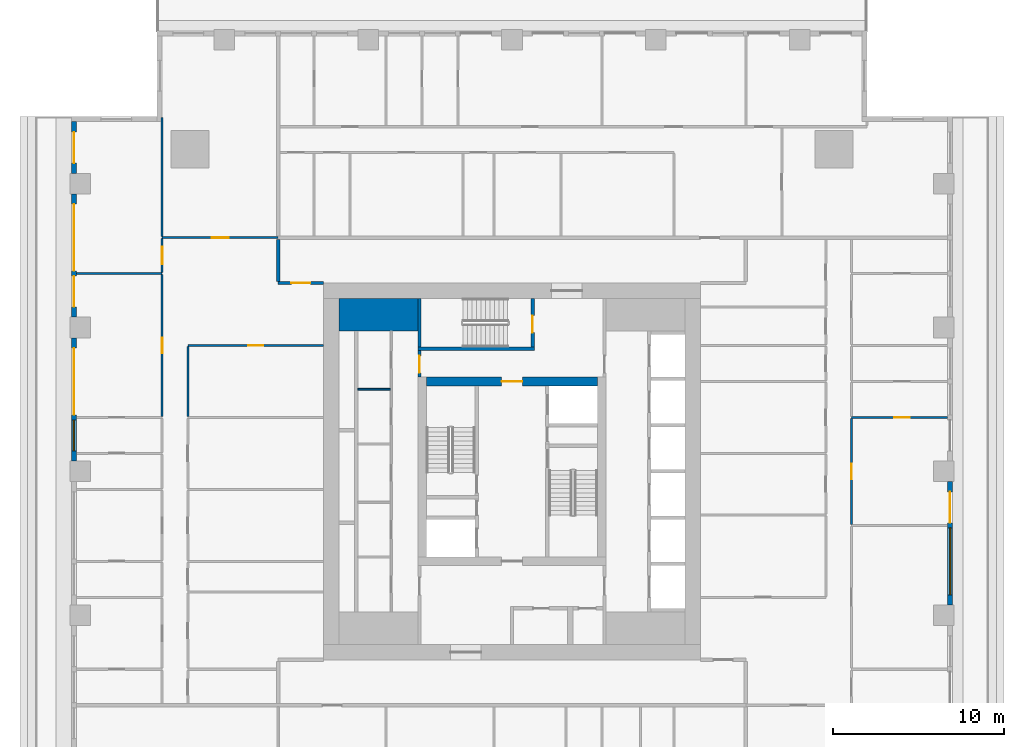
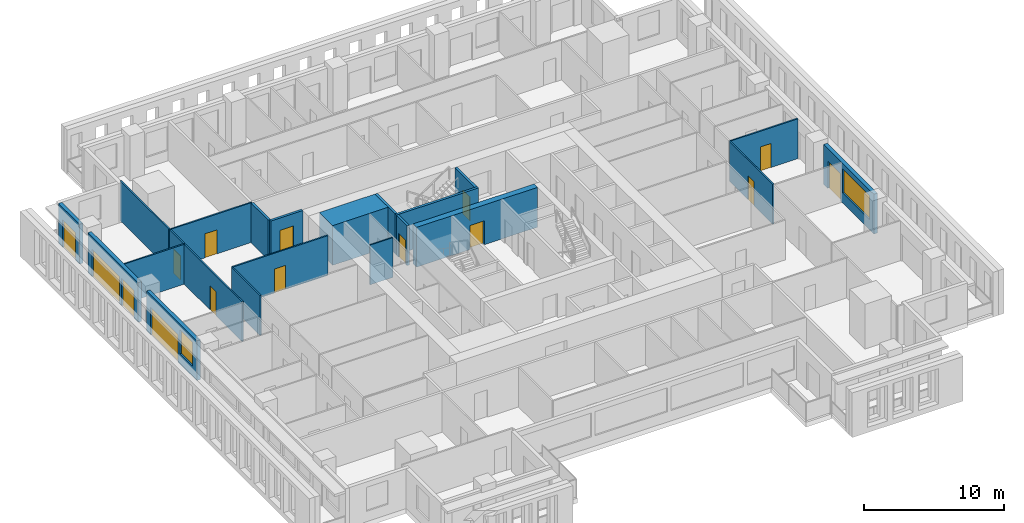
# One storey, part 6 of 14: 22 walls, 15 doors, 2 windows, 17 openings.
"""IFC4 building model written with IfcOpenShell, lengths in metres."""

from ifc_helpers import new_model, si_unit, direction, frame, frame_2d, origin, place, context, subcontext, project, spatial, rectangle, extrude, material, layer, layer_set, type_object, element, fill, save


model = new_model("IFC4")

# Units and contexts
model_context = context("Model", 3, precision=1e-05, world=origin(), true_north=direction((0.0, 1.0)))
body_context = subcontext(model_context, "Body", "Model", "MODEL_VIEW")
ifc_project = project(units=[si_unit("LENGTHUNIT", "METRE"), si_unit("AREAUNIT", "SQUARE_METRE"), si_unit("VOLUMEUNIT", "CUBIC_METRE"), si_unit("PLANEANGLEUNIT", "RADIAN"), si_unit("MASSUNIT", "GRAM", prefix="KILO")], contexts=[model_context])

# Site, building, storey
site_placement = place(None, origin())
site = spatial("IfcSite", under=ifc_project, at=site_placement, CompositionType="ELEMENT")
building_placement = place(site_placement, origin())
building = spatial("IfcBuilding", under=site, at=building_placement, Name="Khepri Terraces", CompositionType="ELEMENT")
storey_placement = place(building_placement, frame((0.0, 0.0, 271.800048828125)))
storey = spatial("IfcBuildingStorey", under=building, at=storey_placement, Name="L65", CompositionType="ELEMENT", Elevation=271.800048828125)

# Walls
ifc_material_1 = material(Name="Concrete C40/50", Category="concrete")
ifc_layer_1 = layer(ifc_material_1, 1.89990234375, Name="Concrete C40/50", Category="concrete")
ifc_layer_set_1 = layer_set([ifc_layer_1], Name="Concrete C40/50")
wall_type_1 = type_object("IfcWallType", Name="Core wall 1900 C40/50", PredefinedType="SHEAR", material=ifc_layer_set_1)
wall_1_placement = place(storey_placement, frame((-10.10009765625, 9.14990234375, 0.0), z_axis=(0.0, 0.0, 1.0), x_axis=(1.0, 0.0, 0.0)))
element("IfcWall", 1, at=wall_1_placement, inside=storey, type_object=wall_type_1, Name="Core wall PR03 L65", PredefinedType="SHEAR", context=body_context, shape_type="SweptSolid", body=[
    extrude(rectangle(XDim=4.60009765625, YDim=1.89990234375, at=frame_2d((2.300048828125, 0.0))), origin(), (0.0, 0.0, 1.0), 3.47998046875),
])
ifc_layer_2 = layer(ifc_material_1, 0.199951171875, Name="Concrete C40/50", Category="concrete")
ifc_layer_set_2 = layer_set([ifc_layer_2], Name="Concrete C40/50")
wall_type_2 = type_object("IfcWallType", Name="Core wall 200 C40/50", PredefinedType="SHEAR", material=ifc_layer_set_2)
wall_2_placement = place(storey_placement, frame((-5.5, 7.14990234375, 0.0), z_axis=(0.0, 0.0, 1.0), x_axis=(1.0, 0.0, 0.0)))
element("IfcWall", 2, at=wall_2_placement, inside=storey, type_object=wall_type_2, Name="Core wall ST05 L65", PredefinedType="SHEAR", context=body_context, shape_type="SweptSolid", body=[
    extrude(rectangle(XDim=6.800048828125, YDim=0.199951171875, at=frame_2d((3.39990234375, 0.0))), origin(), (0.0, 0.0, 1.0), 3.47998046875),
])
wall_3_placement = place(storey_placement, frame((-5.39990234375, 7.25, 0.0), z_axis=(0.0, 0.0, 1.0), x_axis=(0.0, 1.0, 0.0)))
element("IfcWall", 3, at=wall_3_placement, inside=storey, type_object=wall_type_2, Name="Core wall ST06 L65", PredefinedType="SHEAR", context=body_context, shape_type="SweptSolid", body=[
    extrude(rectangle(XDim=2.85009765625, YDim=0.199951171875, at=frame_2d((1.425048828125, 0.0))), origin(), (0.0, 0.0, 1.0), 3.47998046875),
])

# Wall, opening, door
wall_4_placement = place(storey_placement, frame((1.199951171875, 7.25, 0.0), z_axis=(0.0, 0.0, 1.0), x_axis=(0.0, 1.0, 0.0)))
wall_4 = element("IfcWall", 4, at=wall_4_placement, inside=storey, type_object=wall_type_2, Name="Core wall ST07 L65", PredefinedType="SHEAR", context=body_context, shape_type="SweptSolid", body=[
    extrude(rectangle(XDim=2.85009765625, YDim=0.199951171875, at=frame_2d((1.425048828125, 0.0))), origin(), (0.0, 0.0, 1.0), 3.47998046875),
])
opening_1_placement = place(wall_4_placement, frame((0.85009765625, 0.0, 0.0)))
opening_1 = element("IfcOpeningElement", 5, at=opening_1_placement, cuts=wall_4, Name="Opening L65-C15", PredefinedType="OPENING", context=body_context, shape_type="SweptSolid", body=[
    extrude(rectangle(XDim=1.0, YDim=2.10009765625, at=frame_2d((0.5, 1.050048828125))), frame((0.0, 0.10986328125, 0.0), z_axis=(0.0, -1.0, 0.0), x_axis=(1.0, 0.0, 0.0)), (0.0, 0.0, 1.0), 0.219970703125),
])
ifc_material_2 = material(Name="Painted steel", Category="steel")
door_type_1 = type_object("IfcDoorType", Name="DR-CORE-STAIR-1000", OperationType="NOTDEFINED", PredefinedType="DOOR", material=ifc_material_2)
door_1_placement = place(opening_1_placement, origin())
door_1 = element("IfcDoor", 6, at=door_1_placement, inside=storey, type_object=door_type_1, Name="Stair door L65-C15", OperationType="SINGLE_SWING_LEFT", OverallHeight=2.10009765625, OverallWidth=1.0, PredefinedType="DOOR", context=body_context, shape_type="SweptSolid", body=[
    extrude(rectangle(XDim=1.0, YDim=2.10009765625, at=frame_2d((0.5, 1.050048828125))), frame((0.0, 0.02490234375, 0.0), z_axis=(0.0, -1.0, 0.0), x_axis=(1.0, 0.0, 0.0)), (0.0, 0.0, 1.0), 0.050048828125),
])
fill(opening_1, door_1)

ifc_layer_3 = layer(ifc_material_1, 0.5, Name="Concrete C40/50", Category="concrete")
ifc_layer_set_3 = layer_set([ifc_layer_3], Name="Concrete C40/50")
wall_type_3 = type_object("IfcWallType", Name="Core wall 500 C40/50", PredefinedType="SHEAR", material=ifc_layer_set_3)
wall_5_placement = place(storey_placement, frame((-5.0, 5.25, 0.0), z_axis=(0.0, 0.0, 1.0), x_axis=(1.0, 0.0, 0.0)))
wall_5 = element("IfcWall", 7, at=wall_5_placement, inside=storey, type_object=wall_type_3, Name="Core wall BX04 L65", PredefinedType="SHEAR", context=body_context, shape_type="SweptSolid", body=[
    extrude(rectangle(XDim=10.0, YDim=0.5, at=frame_2d((5.0, 0.0))), origin(), (0.0, 0.0, 1.0), 3.47998046875),
])
opening_2_placement = place(wall_5_placement, frame((4.39990234375, 0.0, 0.0)))
opening_2 = element("IfcOpeningElement", 8, at=opening_2_placement, cuts=wall_5, Name="Opening L65-C13", PredefinedType="OPENING", context=body_context, shape_type="SweptSolid", body=[
    extrude(rectangle(XDim=1.199951171875, YDim=2.10009765625, at=frame_2d((0.60009765625, 1.050048828125))), frame((0.0, 0.260009765625, 0.0), z_axis=(0.0, -1.0, 0.0), x_axis=(1.0, 0.0, 0.0)), (0.0, 0.0, 1.0), 0.52001953125),
])
door_type_2 = type_object("IfcDoorType", Name="DR-CORE-FF-LOBBY-1200", OperationType="NOTDEFINED", PredefinedType="DOOR", material=ifc_material_2)
door_2_placement = place(opening_2_placement, frame((1.199951171875, 0.0, 0.0), z_axis=(0.0, 0.0, 1.0), x_axis=(-1.0, 0.0, 0.0)))
door_2 = element("IfcDoor", 9, at=door_2_placement, inside=storey, type_object=door_type_2, Name="Firefighting lobby door L65-C13", OperationType="SINGLE_SWING_LEFT", OverallHeight=2.10009765625, OverallWidth=1.199951171875, PredefinedType="DOOR", context=body_context, shape_type="SweptSolid", body=[
    extrude(rectangle(XDim=1.199951171875, YDim=2.10009765625, at=frame_2d((0.60009765625, 1.050048828125))), frame((0.0, 0.02490234375, 0.0), z_axis=(0.0, -1.0, 0.0), x_axis=(1.0, 0.0, 0.0)), (0.0, 0.0, 1.0), 0.050048828125),
])
fill(opening_2, door_2)

# Wall
ifc_material_3 = material(Name="Fire-rated gypsum board partition")
ifc_layer_4 = layer(ifc_material_3, 0.10009765625, Name="Fire-rated gypsum board partition")
ifc_layer_set_4 = layer_set([ifc_layer_4], Name="Fire-rated gypsum board partition")
wall_type_4 = type_object("IfcWallType", Name="WL-CORE-PART-100", PredefinedType="PARTITIONING", material=ifc_layer_set_4)
wall_6_placement = place(storey_placement, frame((-9.0, 4.800048828125, 0.0), z_axis=(0.0, 0.0, 1.0), x_axis=(1.0, 0.0, 0.0)))
element("IfcWall", 10, at=wall_6_placement, inside=storey, type_object=wall_type_4, Name="Core partition PT11 L65", PredefinedType="PARTITIONING", context=body_context, shape_type="SweptSolid", body=[
    extrude(rectangle(XDim=1.89990234375, YDim=0.10009765625, at=frame_2d((0.949951171875, 0.0))), origin(), (0.0, 0.0, 1.0), 3.47998046875),
])

# Wall, opening, door
ifc_layer_5 = layer(ifc_material_3, 0.199951171875, Name="Fire-rated gypsum board partition")
ifc_layer_set_5 = layer_set([ifc_layer_5], Name="Fire-rated gypsum board partition")
wall_type_5 = type_object("IfcWallType", Name="WL-CORE-PART-200", PredefinedType="PARTITIONING", material=ifc_layer_set_5)
wall_7_placement = place(storey_placement, frame((-5.39990234375, 5.5, 0.0), z_axis=(0.0, 0.0, 1.0), x_axis=(0.0, 1.0, 0.0)))
wall_7 = element("IfcWall", 11, at=wall_7_placement, inside=storey, type_object=wall_type_5, Name="Core partition PT12 L65", PredefinedType="PARTITIONING", context=body_context, shape_type="SweptSolid", body=[
    extrude(rectangle(XDim=1.550048828125, YDim=0.199951171875, at=frame_2d((0.77490234375, 0.0))), origin(), (0.0, 0.0, 1.0), 3.47998046875),
])
opening_3_placement = place(wall_7_placement, frame((0.25, 0.0, 0.0)))
opening_3 = element("IfcOpeningElement", 12, at=opening_3_placement, cuts=wall_7, Name="Opening L65-C16", PredefinedType="OPENING", context=body_context, shape_type="SweptSolid", body=[
    extrude(rectangle(XDim=1.0, YDim=2.10009765625, at=frame_2d((0.5, 1.050048828125))), frame((0.0, 0.10986328125, 0.0), z_axis=(0.0, -1.0, 0.0), x_axis=(1.0, 0.0, 0.0)), (0.0, 0.0, 1.0), 0.219970703125),
])
door_type_3 = type_object("IfcDoorType", Name="DR-CORE-LOBBY-1000", OperationType="NOTDEFINED", PredefinedType="DOOR", material=ifc_material_2)
door_3_placement = place(opening_3_placement, frame((1.0, 0.0, 0.0), z_axis=(0.0, 0.0, 1.0), x_axis=(-1.0, 0.0, 0.0)))
door_3 = element("IfcDoor", 13, at=door_3_placement, inside=storey, type_object=door_type_3, Name="Lobby door L65-C16", OperationType="SINGLE_SWING_RIGHT", OverallHeight=2.10009765625, OverallWidth=1.0, PredefinedType="DOOR", context=body_context, shape_type="SweptSolid", body=[
    extrude(rectangle(XDim=1.0, YDim=2.10009765625, at=frame_2d((0.5, 1.050048828125))), frame((0.0, 0.02490234375, 0.0), z_axis=(0.0, -1.0, 0.0), x_axis=(1.0, 0.0, 0.0)), (0.0, 0.0, 1.0), 0.050048828125),
])
fill(opening_3, door_3)

ifc_material_4 = material(Name="Fire-rated gypsum plasterboard partition, mineral wool")
ifc_layer_6 = layer(ifc_material_4, 0.199951171875, Name="Fire-rated gypsum plasterboard partition, mineral wool")
ifc_layer_set_6 = layer_set([ifc_layer_6], Name="Fire-rated gypsum plasterboard partition, mineral wool")
wall_type_6 = type_object("IfcWallType", Name="WL-CORR-200", PredefinedType="PARTITIONING", material=ifc_layer_set_6)
wall_8_placement = place(storey_placement, frame((-13.64990234375, 11.0, 0.0), z_axis=(0.0, 0.0, 1.0), x_axis=(1.0, 0.0, 0.0)))
wall_8 = element("IfcWall", 14, at=wall_8_placement, inside=storey, type_object=wall_type_6, Name="Partition P-070 L65", PredefinedType="PARTITIONING", context=body_context, shape_type="SweptSolid", body=[
    extrude(rectangle(XDim=2.64990234375, YDim=0.199951171875, at=frame_2d((1.324951171875, 0.0))), origin(), (0.0, 0.0, 1.0), 3.47998046875),
])
opening_4_placement = place(wall_8_placement, frame((0.77490234375, 0.0, 0.0)))
opening_4 = element("IfcOpeningElement", 15, at=opening_4_placement, cuts=wall_8, Name="Opening D1", PredefinedType="OPENING", context=body_context, shape_type="SweptSolid", body=[
    extrude(rectangle(XDim=1.10009765625, YDim=2.39990234375, at=frame_2d((0.550048828125, 1.199951171875))), frame((0.0, 0.10986328125, 0.0), z_axis=(0.0, -1.0, 0.0), x_axis=(1.0, 0.0, 0.0)), (0.0, 0.0, 1.0), 0.219970703125),
])
ifc_material_5 = material(Name="Solid-core timber door leaf, flat entrance door", Category="wood")
door_type_4 = type_object("IfcDoorType", Name="DR-ENT-1100", OperationType="NOTDEFINED", PredefinedType="DOOR", material=ifc_material_5)
door_4_placement = place(opening_4_placement, frame((1.10009765625, 0.0, 0.0), z_axis=(0.0, 0.0, 1.0), x_axis=(-1.0, 0.0, 0.0)))
door_4 = element("IfcDoor", 16, at=door_4_placement, inside=storey, type_object=door_type_4, Name="Flat D1 entrance door", OperationType="SINGLE_SWING_LEFT", OverallHeight=2.39990234375, OverallWidth=1.10009765625, PredefinedType="DOOR", context=body_context, shape_type="SweptSolid", body=[
    extrude(rectangle(XDim=1.10009765625, YDim=2.39990234375, at=frame_2d((0.550048828125, 1.199951171875))), frame((0.0, 0.02490234375, 0.0), z_axis=(0.0, -1.0, 0.0), x_axis=(1.0, 0.0, 0.0)), (0.0, 0.0, 1.0), 0.050048828125),
])
fill(opening_4, door_4)

# Wall
wall_9_placement = place(storey_placement, frame((-13.64990234375, 11.10009765625, 0.0), z_axis=(0.0, 0.0, 1.0), x_axis=(0.0, 1.0, 0.0)))
element("IfcWall", 17, at=wall_9_placement, inside=storey, type_object=wall_type_6, Name="Partition P-072 L65", PredefinedType="PARTITIONING", context=body_context, shape_type="SweptSolid", body=[
    extrude(rectangle(XDim=2.449951171875, YDim=0.199951171875, at=frame_2d((1.22509765625, 0.0))), origin(), (0.0, 0.0, 1.0), 3.47998046875),
])

# Wall, openings, door, window
ifc_material_6 = material(Name="Precast concrete C50/60 warm stone", Category="masonry")
ifc_layer_7 = layer(ifc_material_6, 0.300048828125, Name="Precast concrete C50/60 warm stone", Category="masonry")
ifc_layer_set_7 = layer_set([ifc_layer_7], Name="Precast concrete C50/60 warm stone")
wall_type_7 = type_object("IfcWallType", Name="WL-EXT-PRECAST-300", PredefinedType="STANDARD", material=ifc_layer_set_7)
wall_10_placement = place(storey_placement, frame((25.570068359375, -7.800048828125, 0.0), z_axis=(0.0, 0.0, 1.0), x_axis=(0.0, 1.0, 0.0)))
wall_10 = element("IfcWall", 18, at=wall_10_placement, inside=storey, type_object=wall_type_7, Name="External wall L65 E", PredefinedType="STANDARD", context=body_context, shape_type="SweptSolid", body=[
    extrude(rectangle(XDim=7.199951171875, YDim=0.300048828125, at=frame_2d((3.60009765625, 0.0))), origin(), (0.0, 0.0, 1.0), 3.47998046875),
])
opening_5_placement = place(wall_10_placement, frame((0.60009765625, 0.0, 0.89990234375)))
opening_5 = element("IfcOpeningElement", 19, at=opening_5_placement, cuts=wall_10, Name="Opening W2", PredefinedType="OPENING", context=body_context, shape_type="SweptSolid", body=[
    extrude(rectangle(XDim=3.89990234375, YDim=2.10009765625, at=frame_2d((1.949951171875, 1.050048828125))), frame((0.0, 0.16015625, 0.0), z_axis=(0.0, -1.0, 0.0), x_axis=(1.0, 0.0, 0.0)), (0.0, 0.0, 1.0), 0.320068359375),
])
opening_6_placement = place(wall_10_placement, frame((4.800048828125, 0.0, 0.0)))
opening_6 = element("IfcOpeningElement", 20, at=opening_6_placement, cuts=wall_10, Name="Opening ED-L65-03", PredefinedType="OPENING", context=body_context, shape_type="SweptSolid", body=[
    extrude(rectangle(XDim=1.800048828125, YDim=2.39990234375, at=frame_2d((0.89990234375, 1.199951171875))), frame((0.0, 0.16015625, 0.0), z_axis=(0.0, -1.0, 0.0), x_axis=(1.0, 0.0, 0.0)), (0.0, 0.0, 1.0), 0.320068359375),
])
ifc_material_7 = material(Name="Anodised aluminium bronze glazed door", Category="aluminium")
door_type_5 = type_object("IfcDoorType", Name="DR-BAL-SLIDE-1800x2400", OperationType="NOTDEFINED", PredefinedType="DOOR", material=ifc_material_7)
door_5_placement = place(opening_6_placement, origin())
door_5 = element("IfcDoor", 21, at=door_5_placement, inside=storey, type_object=door_type_5, Name="Balcony door L65 E", OperationType="SLIDING_TO_RIGHT", OverallHeight=2.39990234375, OverallWidth=1.800048828125, PredefinedType="DOOR", context=body_context, shape_type="SweptSolid", body=[
    extrude(rectangle(XDim=1.800048828125, YDim=2.39990234375, at=frame_2d((0.89990234375, 1.199951171875))), frame((0.0, 0.02490234375, 0.0), z_axis=(0.0, -1.0, 0.0), x_axis=(1.0, 0.0, 0.0)), (0.0, 0.0, 1.0), 0.050048828125),
])
fill(opening_6, door_5)
ifc_material_8 = material(Name="Clear glass", Category="glass")
window_type_1 = type_object("IfcWindowType", Name="WIN-RES-3900x2100", PartitioningType="SINGLE_PANEL", PredefinedType="WINDOW", material=ifc_material_8)
window_1_placement = place(opening_5_placement, origin())
window_1 = element("IfcWindow", 22, at=window_1_placement, inside=storey, type_object=window_type_1, Name="Window L65 E", OverallHeight=2.10009765625, OverallWidth=3.89990234375, PartitioningType="SINGLE_PANEL", PredefinedType="WINDOW", context=body_context, shape_type="SweptSolid", body=[
    extrude(rectangle(XDim=3.89990234375, YDim=2.10009765625, at=frame_2d((1.949951171875, 1.050048828125))), frame((0.0, 0.030029296875, 0.0), z_axis=(0.0, -1.0, 0.0), x_axis=(1.0, 0.0, 0.0)), (0.0, 0.0, 1.0), 0.06005859375),
])
fill(opening_5, window_1)

# Wall, opening, door
wall_11_placement = place(storey_placement, frame((-25.570068359375, 20.419921875, 0.0), z_axis=(0.0, 0.0, 1.0), x_axis=(0.0, -1.0, 0.0)))
wall_11 = element("IfcWall", 23, at=wall_11_placement, inside=storey, type_object=wall_type_7, Name="External wall L65 W", PredefinedType="STANDARD", context=body_context, shape_type="SweptSolid", body=[
    extrude(rectangle(XDim=3.02001953125, YDim=0.300048828125, at=frame_2d((1.510009765625, 0.0))), origin(), (0.0, 0.0, 1.0), 3.47998046875),
])
opening_7_placement = place(wall_11_placement, frame((0.6201171875, 0.0, 0.0)))
opening_7 = element("IfcOpeningElement", 24, at=opening_7_placement, cuts=wall_11, Name="Opening ED-L65-11", PredefinedType="OPENING", context=body_context, shape_type="SweptSolid", body=[
    extrude(rectangle(XDim=1.800048828125, YDim=2.39990234375, at=frame_2d((0.89990234375, 1.199951171875))), frame((0.0, 0.16015625, 0.0), z_axis=(0.0, -1.0, 0.0), x_axis=(1.0, 0.0, 0.0)), (0.0, 0.0, 1.0), 0.320068359375),
])
door_6_placement = place(opening_7_placement, origin())
door_6 = element("IfcDoor", 25, at=door_6_placement, inside=storey, type_object=door_type_5, Name="Balcony door L65 W", OperationType="SLIDING_TO_RIGHT", OverallHeight=2.39990234375, OverallWidth=1.800048828125, PredefinedType="DOOR", context=body_context, shape_type="SweptSolid", body=[
    extrude(rectangle(XDim=1.800048828125, YDim=2.39990234375, at=frame_2d((0.89990234375, 1.199951171875))), frame((0.0, 0.02490234375, 0.0), z_axis=(0.0, -1.0, 0.0), x_axis=(1.0, 0.0, 0.0)), (0.0, 0.0, 1.0), 0.050048828125),
])
fill(opening_7, door_6)

# Wall, openings, doors
wall_12_placement = place(storey_placement, frame((-25.570068359375, 16.199951171875, 0.0), z_axis=(0.0, 0.0, 1.0), x_axis=(0.0, -1.0, 0.0)))
wall_12 = element("IfcWall", 26, at=wall_12_placement, inside=storey, type_object=wall_type_7, Name="External wall L65 W", PredefinedType="STANDARD", context=body_context, shape_type="SweptSolid", body=[
    extrude(rectangle(XDim=7.199951171875, YDim=0.300048828125, at=frame_2d((3.60009765625, 0.0))), origin(), (0.0, 0.0, 1.0), 3.47998046875),
])
opening_8_placement = place(wall_12_placement, frame((0.60009765625, 0.0, 0.0)))
opening_8 = element("IfcOpeningElement", 27, at=opening_8_placement, cuts=wall_12, Name="Opening ED-L65-12", PredefinedType="OPENING", context=body_context, shape_type="SweptSolid", body=[
    extrude(rectangle(XDim=3.89990234375, YDim=2.39990234375, at=frame_2d((1.949951171875, 1.199951171875))), frame((0.0, 0.16015625, 0.0), z_axis=(0.0, -1.0, 0.0), x_axis=(1.0, 0.0, 0.0)), (0.0, 0.0, 1.0), 0.320068359375),
])
opening_9_placement = place(wall_12_placement, frame((4.800048828125, 0.0, 0.0)))
opening_9 = element("IfcOpeningElement", 28, at=opening_9_placement, cuts=wall_12, Name="Opening ED-L65-13", PredefinedType="OPENING", context=body_context, shape_type="SweptSolid", body=[
    extrude(rectangle(XDim=1.800048828125, YDim=2.39990234375, at=frame_2d((0.89990234375, 1.199951171875))), frame((0.0, 0.16015625, 0.0), z_axis=(0.0, -1.0, 0.0), x_axis=(1.0, 0.0, 0.0)), (0.0, 0.0, 1.0), 0.320068359375),
])
door_7_placement = place(opening_9_placement, origin())
door_7 = element("IfcDoor", 29, at=door_7_placement, inside=storey, type_object=door_type_5, Name="Balcony door L65 W", OperationType="SLIDING_TO_RIGHT", OverallHeight=2.39990234375, OverallWidth=1.800048828125, PredefinedType="DOOR", context=body_context, shape_type="SweptSolid", body=[
    extrude(rectangle(XDim=1.800048828125, YDim=2.39990234375, at=frame_2d((0.89990234375, 1.199951171875))), frame((0.0, 0.02490234375, 0.0), z_axis=(0.0, -1.0, 0.0), x_axis=(1.0, 0.0, 0.0)), (0.0, 0.0, 1.0), 0.050048828125),
])
fill(opening_9, door_7)
door_type_6 = type_object("IfcDoorType", Name="DR-BAL-SLIDE-3900x2400", OperationType="NOTDEFINED", PredefinedType="DOOR", material=ifc_material_7)
door_8_placement = place(opening_8_placement, origin())
door_8 = element("IfcDoor", 30, at=door_8_placement, inside=storey, type_object=door_type_6, Name="Balcony door L65 W", OperationType="SLIDING_TO_LEFT", OverallHeight=2.39990234375, OverallWidth=3.89990234375, PredefinedType="DOOR", context=body_context, shape_type="SweptSolid", body=[
    extrude(rectangle(XDim=3.89990234375, YDim=2.39990234375, at=frame_2d((1.949951171875, 1.199951171875))), frame((0.0, 0.02490234375, 0.0), z_axis=(0.0, -1.0, 0.0), x_axis=(1.0, 0.0, 0.0)), (0.0, 0.0, 1.0), 0.050048828125),
])
fill(opening_8, door_8)

# Wall, openings, door, window
wall_13_placement = place(storey_placement, frame((-25.570068359375, 7.800048828125, 0.0), z_axis=(0.0, 0.0, 1.0), x_axis=(0.0, -1.0, 0.0)))
wall_13 = element("IfcWall", 31, at=wall_13_placement, inside=storey, type_object=wall_type_7, Name="External wall L65 W", PredefinedType="STANDARD", context=body_context, shape_type="SweptSolid", body=[
    extrude(rectangle(XDim=7.199951171875, YDim=0.300048828125, at=frame_2d((3.60009765625, 0.0))), origin(), (0.0, 0.0, 1.0), 3.47998046875),
])
opening_10_placement = place(wall_13_placement, frame((0.60009765625, 0.0, 0.0)))
opening_10 = element("IfcOpeningElement", 32, at=opening_10_placement, cuts=wall_13, Name="Opening ED-L65-14", PredefinedType="OPENING", context=body_context, shape_type="SweptSolid", body=[
    extrude(rectangle(XDim=3.89990234375, YDim=2.39990234375, at=frame_2d((1.949951171875, 1.199951171875))), frame((0.0, 0.16015625, 0.0), z_axis=(0.0, -1.0, 0.0), x_axis=(1.0, 0.0, 0.0)), (0.0, 0.0, 1.0), 0.320068359375),
])
opening_11_placement = place(wall_13_placement, frame((4.800048828125, 0.0, 0.89990234375)))
opening_11 = element("IfcOpeningElement", 33, at=opening_11_placement, cuts=wall_13, Name="Opening W1", PredefinedType="OPENING", context=body_context, shape_type="SweptSolid", body=[
    extrude(rectangle(XDim=1.800048828125, YDim=2.10009765625, at=frame_2d((0.89990234375, 1.050048828125))), frame((0.0, 0.16015625, 0.0), z_axis=(0.0, -1.0, 0.0), x_axis=(1.0, 0.0, 0.0)), (0.0, 0.0, 1.0), 0.320068359375),
])
door_9_placement = place(opening_10_placement, origin())
door_9 = element("IfcDoor", 34, at=door_9_placement, inside=storey, type_object=door_type_6, Name="Balcony door L65 W", OperationType="SLIDING_TO_LEFT", OverallHeight=2.39990234375, OverallWidth=3.89990234375, PredefinedType="DOOR", context=body_context, shape_type="SweptSolid", body=[
    extrude(rectangle(XDim=3.89990234375, YDim=2.39990234375, at=frame_2d((1.949951171875, 1.199951171875))), frame((0.0, 0.02490234375, 0.0), z_axis=(0.0, -1.0, 0.0), x_axis=(1.0, 0.0, 0.0)), (0.0, 0.0, 1.0), 0.050048828125),
])
fill(opening_10, door_9)
window_type_2 = type_object("IfcWindowType", Name="WIN-RES-1800x2100", PartitioningType="SINGLE_PANEL", PredefinedType="WINDOW", material=ifc_material_8)
window_2_placement = place(opening_11_placement, origin())
window_2 = element("IfcWindow", 35, at=window_2_placement, inside=storey, type_object=window_type_2, Name="Window L65 W", OverallHeight=2.10009765625, OverallWidth=1.800048828125, PartitioningType="SINGLE_PANEL", PredefinedType="WINDOW", context=body_context, shape_type="SweptSolid", body=[
    extrude(rectangle(XDim=1.800048828125, YDim=2.10009765625, at=frame_2d((0.89990234375, 1.050048828125))), frame((0.0, 0.030029296875, 0.0), z_axis=(0.0, -1.0, 0.0), x_axis=(1.0, 0.0, 0.0)), (0.0, 0.0, 1.0), 0.06005859375),
])
fill(opening_11, window_2)

# Wall, opening, door
ifc_material_9 = material(Name="Gypsum plasterboard partition")
ifc_layer_8 = layer(ifc_material_9, 0.1201171875, Name="Gypsum plasterboard partition")
ifc_layer_set_8 = layer_set([ifc_layer_8], Name="Gypsum plasterboard partition")
wall_type_8 = type_object("IfcWallType", Name="WL-PART-120", PredefinedType="PARTITIONING", material=ifc_layer_set_8)
wall_14_placement = place(storey_placement, frame((19.820068359375, -3.090087890625, 0.0), z_axis=(0.0, 0.0, 1.0), x_axis=(0.0, 1.0, 0.0)))
wall_14 = element("IfcWall", 36, at=wall_14_placement, inside=storey, type_object=wall_type_8, Name="Partition P-042 L65", PredefinedType="PARTITIONING", context=body_context, shape_type="SweptSolid", body=[
    extrude(rectangle(XDim=6.18017578125, YDim=0.1201171875, at=frame_2d((3.090087890625, 0.0))), origin(), (0.0, 0.0, 1.0), 3.47998046875),
])
opening_12_placement = place(wall_14_placement, frame((2.639892578125, 0.0, 0.0)))
opening_12 = element("IfcOpeningElement", 37, at=opening_12_placement, cuts=wall_14, Name="Opening D3", PredefinedType="OPENING", context=body_context, shape_type="SweptSolid", body=[
    extrude(rectangle(XDim=0.89990234375, YDim=2.10009765625, at=frame_2d((0.449951171875, 1.050048828125))), frame((0.0, 0.070068359375, 0.0), z_axis=(0.0, -1.0, 0.0), x_axis=(1.0, 0.0, 0.0)), (0.0, 0.0, 1.0), 0.14013671875),
])
ifc_material_10 = material(Name="Timber door leaf", Category="wood")
door_type_7 = type_object("IfcDoorType", Name="DR-INT-900", OperationType="NOTDEFINED", PredefinedType="DOOR", material=ifc_material_10)
door_10_placement = place(opening_12_placement, frame((0.89990234375, 0.0, 0.0), z_axis=(0.0, 0.0, 1.0), x_axis=(-1.0, 0.0, 0.0)))
door_10 = element("IfcDoor", 38, at=door_10_placement, inside=storey, type_object=door_type_7, Name="Door Master Bedroom", OperationType="SINGLE_SWING_LEFT", OverallHeight=2.10009765625, OverallWidth=0.89990234375, PredefinedType="DOOR", context=body_context, shape_type="SweptSolid", body=[
    extrude(rectangle(XDim=0.89990234375, YDim=2.10009765625, at=frame_2d((0.449951171875, 1.050048828125))), frame((0.0, 0.02490234375, 0.0), z_axis=(0.0, -1.0, 0.0), x_axis=(1.0, 0.0, 0.0)), (0.0, 0.0, 1.0), 0.050048828125),
])
fill(opening_12, door_10)

wall_15_placement = place(storey_placement, frame((19.820068359375, 3.14990234375, 0.0), z_axis=(0.0, 0.0, 1.0), x_axis=(1.0, 0.0, 0.0)))
wall_15 = element("IfcWall", 39, at=wall_15_placement, inside=storey, type_object=wall_type_8, Name="Partition P-055 L65", PredefinedType="PARTITIONING", context=body_context, shape_type="SweptSolid", body=[
    extrude(rectangle(XDim=5.599853515625, YDim=0.1201171875, at=frame_2d((2.7998046875, 0.0))), origin(), (0.0, 0.0, 1.0), 3.47998046875),
])
opening_13_placement = place(wall_15_placement, frame((2.5, 0.0, 0.0)))
opening_13 = element("IfcOpeningElement", 40, at=opening_13_placement, cuts=wall_15, Name="Opening D3", PredefinedType="OPENING", context=body_context, shape_type="SweptSolid", body=[
    extrude(rectangle(XDim=0.89990234375, YDim=2.10009765625, at=frame_2d((0.449951171875, 1.050048828125))), frame((0.0, 0.070068359375, 0.0), z_axis=(0.0, -1.0, 0.0), x_axis=(1.0, 0.0, 0.0)), (0.0, 0.0, 1.0), 0.14013671875),
])
door_11_placement = place(opening_13_placement, origin())
door_11 = element("IfcDoor", 41, at=door_11_placement, inside=storey, type_object=door_type_7, Name="Door Dressing Room", OperationType="SINGLE_SWING_RIGHT", OverallHeight=2.10009765625, OverallWidth=0.89990234375, PredefinedType="DOOR", context=body_context, shape_type="SweptSolid", body=[
    extrude(rectangle(XDim=0.89990234375, YDim=2.10009765625, at=frame_2d((0.449951171875, 1.050048828125))), frame((0.0, 0.02490234375, 0.0), z_axis=(0.0, -1.0, 0.0), x_axis=(1.0, 0.0, 0.0)), (0.0, 0.0, 1.0), 0.050048828125),
])
fill(opening_13, door_11)

wall_16_placement = place(storey_placement, frame((-20.419921875, 3.2099609375, 0.0), z_axis=(0.0, 0.0, 1.0), x_axis=(0.0, 1.0, 0.0)))
wall_16 = element("IfcWall", 42, at=wall_16_placement, inside=storey, type_object=wall_type_8, Name="Partition P-056 L65", PredefinedType="PARTITIONING", context=body_context, shape_type="SweptSolid", body=[
    extrude(rectangle(XDim=8.280029296875, YDim=0.1201171875, at=frame_2d((4.14013671875, 0.0))), origin(), (0.0, 0.0, 1.0), 3.47998046875),
])
opening_14_placement = place(wall_16_placement, frame((3.68994140625, 0.0, 0.0)))
opening_14 = element("IfcOpeningElement", 43, at=opening_14_placement, cuts=wall_16, Name="Opening D3", PredefinedType="OPENING", context=body_context, shape_type="SweptSolid", body=[
    extrude(rectangle(XDim=0.89990234375, YDim=2.10009765625, at=frame_2d((0.449951171875, 1.050048828125))), frame((0.0, 0.070068359375, 0.0), z_axis=(0.0, -1.0, 0.0), x_axis=(1.0, 0.0, 0.0)), (0.0, 0.0, 1.0), 0.14013671875),
])
door_12_placement = place(opening_14_placement, origin())
door_12 = element("IfcDoor", 44, at=door_12_placement, inside=storey, type_object=door_type_7, Name="Door Master Bedroom", OperationType="SINGLE_SWING_RIGHT", OverallHeight=2.10009765625, OverallWidth=0.89990234375, PredefinedType="DOOR", context=body_context, shape_type="SweptSolid", body=[
    extrude(rectangle(XDim=0.89990234375, YDim=2.10009765625, at=frame_2d((0.449951171875, 1.050048828125))), frame((0.0, 0.02490234375, 0.0), z_axis=(0.0, -1.0, 0.0), x_axis=(1.0, 0.0, 0.0)), (0.0, 0.0, 1.0), 0.050048828125),
])
fill(opening_14, door_12)

# Wall
wall_17_placement = place(storey_placement, frame((-18.919921875, 3.2099609375, 0.0), z_axis=(0.0, 0.0, 1.0), x_axis=(0.0, 1.0, 0.0)))
element("IfcWall", 45, at=wall_17_placement, inside=storey, type_object=wall_type_8, Name="Partition P-057 L65", PredefinedType="PARTITIONING", context=body_context, shape_type="SweptSolid", body=[
    extrude(rectangle(XDim=4.080078125, YDim=0.1201171875, at=frame_2d((2.0400390625, 0.0))), origin(), (0.0, 0.0, 1.0), 3.47998046875),
])

# Wall, opening, door
wall_18_placement = place(storey_placement, frame((-18.919921875, 7.35009765625, 0.0), z_axis=(0.0, 0.0, 1.0), x_axis=(1.0, 0.0, 0.0)))
wall_18 = element("IfcWall", 46, at=wall_18_placement, inside=storey, type_object=wall_type_8, Name="Partition P-063 L65", PredefinedType="PARTITIONING", context=body_context, shape_type="SweptSolid", body=[
    extrude(rectangle(XDim=7.919921875, YDim=0.1201171875, at=frame_2d((3.9599609375, 0.0))), origin(), (0.0, 0.0, 1.0), 3.47998046875),
])
opening_15_placement = place(wall_18_placement, frame((3.510009765625, 0.0, 0.0)))
opening_15 = element("IfcOpeningElement", 47, at=opening_15_placement, cuts=wall_18, Name="Opening D3", PredefinedType="OPENING", context=body_context, shape_type="SweptSolid", body=[
    extrude(rectangle(XDim=0.89990234375, YDim=2.10009765625, at=frame_2d((0.449951171875, 1.050048828125))), frame((0.0, 0.070068359375, 0.0), z_axis=(0.0, -1.0, 0.0), x_axis=(1.0, 0.0, 0.0)), (0.0, 0.0, 1.0), 0.14013671875),
])
door_13_placement = place(opening_15_placement, frame((0.89990234375, 0.0, 0.0), z_axis=(0.0, 0.0, 1.0), x_axis=(-1.0, 0.0, 0.0)))
door_13 = element("IfcDoor", 48, at=door_13_placement, inside=storey, type_object=door_type_7, Name="Door Kitchen", OperationType="SINGLE_SWING_LEFT", OverallHeight=2.10009765625, OverallWidth=0.89990234375, PredefinedType="DOOR", context=body_context, shape_type="SweptSolid", body=[
    extrude(rectangle(XDim=0.89990234375, YDim=2.10009765625, at=frame_2d((0.449951171875, 1.050048828125))), frame((0.0, 0.02490234375, 0.0), z_axis=(0.0, -1.0, 0.0), x_axis=(1.0, 0.0, 0.0)), (0.0, 0.0, 1.0), 0.050048828125),
])
fill(opening_15, door_13)

# Wall
wall_19_placement = place(storey_placement, frame((-25.419921875, 11.550048828125, 0.0), z_axis=(0.0, 0.0, 1.0), x_axis=(1.0, 0.0, 0.0)))
element("IfcWall", 49, at=wall_19_placement, inside=storey, type_object=wall_type_8, Name="Partition P-074 L65", PredefinedType="PARTITIONING", context=body_context, shape_type="SweptSolid", body=[
    extrude(rectangle(XDim=5.0, YDim=0.1201171875, at=frame_2d((2.5, 0.0))), origin(), (0.0, 0.0, 1.0), 3.47998046875),
])

# Wall, opening, door
wall_20_placement = place(storey_placement, frame((-20.419921875, 11.610107421875, 0.0), z_axis=(0.0, 0.0, 1.0), x_axis=(0.0, 1.0, 0.0)))
wall_20 = element("IfcWall", 50, at=wall_20_placement, inside=storey, type_object=wall_type_8, Name="Partition P-076 L65", PredefinedType="PARTITIONING", context=body_context, shape_type="SweptSolid", body=[
    extrude(rectangle(XDim=1.97998046875, YDim=0.1201171875, at=frame_2d((0.989990234375, 0.0))), origin(), (0.0, 0.0, 1.0), 3.47998046875),
])
opening_16_placement = place(wall_20_placement, frame((0.489990234375, 0.0, 0.0)))
opening_16 = element("IfcOpeningElement", 51, at=opening_16_placement, cuts=wall_20, Name="Opening D2", PredefinedType="OPENING", context=body_context, shape_type="SweptSolid", body=[
    extrude(rectangle(XDim=1.0, YDim=2.10009765625, at=frame_2d((0.5, 1.050048828125))), frame((0.0, 0.070068359375, 0.0), z_axis=(0.0, -1.0, 0.0), x_axis=(1.0, 0.0, 0.0)), (0.0, 0.0, 1.0), 0.14013671875),
])
ifc_material_11 = material(Name="Timber door leaf, living room door", Category="wood")
door_type_8 = type_object("IfcDoorType", Name="DR-INT-1000", OperationType="NOTDEFINED", PredefinedType="DOOR", material=ifc_material_11)
door_14_placement = place(opening_16_placement, origin())
door_14 = element("IfcDoor", 52, at=door_14_placement, inside=storey, type_object=door_type_8, Name="Door Living Room", OperationType="SINGLE_SWING_RIGHT", OverallHeight=2.10009765625, OverallWidth=1.0, PredefinedType="DOOR", context=body_context, shape_type="SweptSolid", body=[
    extrude(rectangle(XDim=1.0, YDim=2.10009765625, at=frame_2d((0.5, 1.050048828125))), frame((0.0, 0.02490234375, 0.0), z_axis=(0.0, -1.0, 0.0), x_axis=(1.0, 0.0, 0.0)), (0.0, 0.0, 1.0), 0.050048828125),
])
fill(opening_16, door_14)

wall_21_placement = place(storey_placement, frame((-20.419921875, 13.64990234375, 0.0), z_axis=(0.0, 0.0, 1.0), x_axis=(1.0, 0.0, 0.0)))
wall_21 = element("IfcWall", 53, at=wall_21_placement, inside=storey, type_object=wall_type_8, Name="Partition P-078 L65", PredefinedType="PARTITIONING", context=body_context, shape_type="SweptSolid", body=[
    extrude(rectangle(XDim=6.77001953125, YDim=0.1201171875, at=frame_2d((3.385009765625, 0.0))), origin(), (0.0, 0.0, 1.0), 3.47998046875),
])
opening_17_placement = place(wall_21_placement, frame((2.885009765625, 0.0, 0.0)))
opening_17 = element("IfcOpeningElement", 54, at=opening_17_placement, cuts=wall_21, Name="Opening D2", PredefinedType="OPENING", context=body_context, shape_type="SweptSolid", body=[
    extrude(rectangle(XDim=1.0, YDim=2.10009765625, at=frame_2d((0.5, 1.050048828125))), frame((0.0, 0.070068359375, 0.0), z_axis=(0.0, -1.0, 0.0), x_axis=(1.0, 0.0, 0.0)), (0.0, 0.0, 1.0), 0.14013671875),
])
door_15_placement = place(opening_17_placement, origin())
door_15 = element("IfcDoor", 55, at=door_15_placement, inside=storey, type_object=door_type_8, Name="Door Family Room", OperationType="SINGLE_SWING_RIGHT", OverallHeight=2.10009765625, OverallWidth=1.0, PredefinedType="DOOR", context=body_context, shape_type="SweptSolid", body=[
    extrude(rectangle(XDim=1.0, YDim=2.10009765625, at=frame_2d((0.5, 1.050048828125))), frame((0.0, 0.02490234375, 0.0), z_axis=(0.0, -1.0, 0.0), x_axis=(1.0, 0.0, 0.0)), (0.0, 0.0, 1.0), 0.050048828125),
])
fill(opening_17, door_15)

# Wall
wall_22_placement = place(storey_placement, frame((-20.419921875, 13.7099609375, 0.0), z_axis=(0.0, 0.0, 1.0), x_axis=(0.0, 1.0, 0.0)))
element("IfcWall", 56, at=wall_22_placement, inside=storey, type_object=wall_type_8, Name="Partition P-080 L65", PredefinedType="PARTITIONING", context=body_context, shape_type="SweptSolid", body=[
    extrude(rectangle(XDim=6.948974609375, YDim=0.1201171875, at=frame_2d((3.474609375, 0.0))), origin(), (0.0, 0.0, 1.0), 3.47998046875),
])

save(model, "model.ifc")
